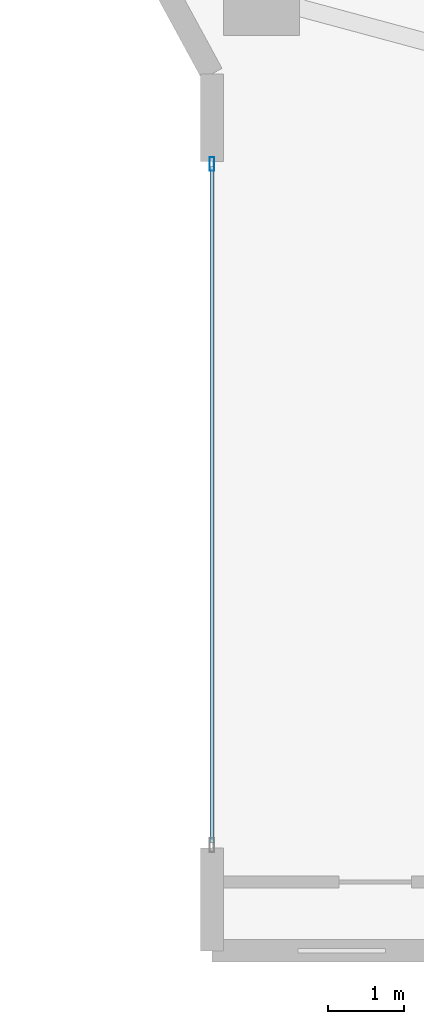
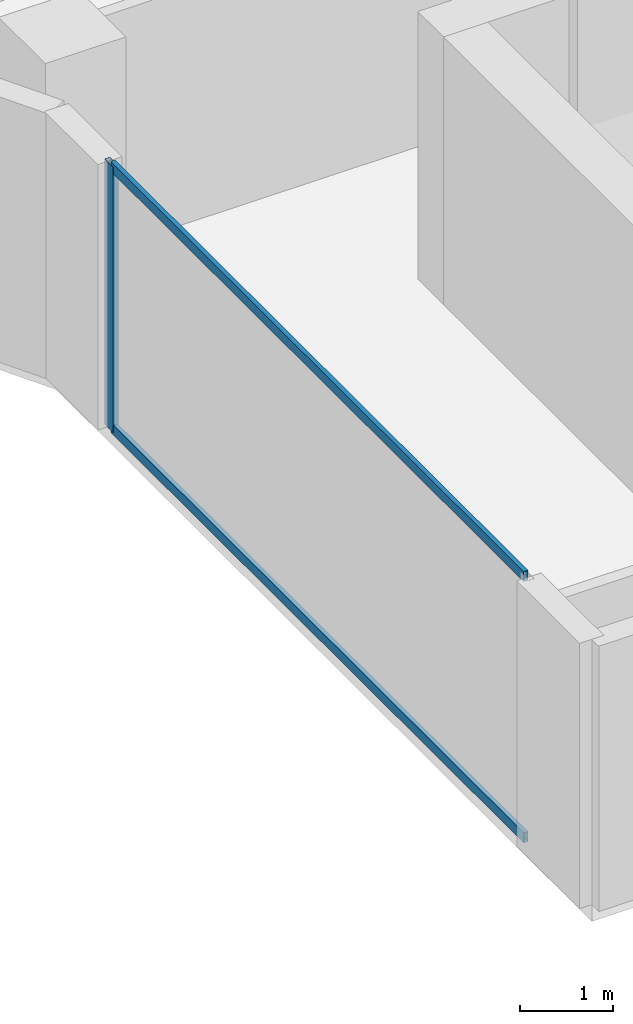
# One storey, part 3 of 23: 3 members, 1 element without a shape of its own.
"""IFC4 building model written with IfcOpenShell, lengths in metres."""

from ifc_helpers import new_model, si_unit, direction, frame, origin, origin_2d, place, context, subcontext, project, spatial, hollow_rectangle, extrude, material, layer, layer_set, material_profile, profile_set, type_object, element, aggregate, save


model = new_model("IFC4")

# Units and contexts
model_context = context("Model", 3, precision=1e-05, world=origin(), true_north=direction((0.0, 1.0)))
body_context = subcontext(model_context, "Body", "Model", "MODEL_VIEW")
ifc_project = project(units=[si_unit("LENGTHUNIT", "METRE"), si_unit("AREAUNIT", "SQUARE_METRE"), si_unit("VOLUMEUNIT", "CUBIC_METRE"), si_unit("PLANEANGLEUNIT", "RADIAN"), si_unit("MASSUNIT", "GRAM", prefix="KILO")], contexts=[model_context])

# Site, building, storey
site_placement = place(None, origin())
site = spatial("IfcSite", under=ifc_project, at=site_placement, CompositionType="ELEMENT")
building_placement = place(site_placement, origin())
building = spatial("IfcBuilding", under=site, at=building_placement, Name="Zuhayl Quay Hotel", CompositionType="ELEMENT")
storey_placement = place(building_placement, frame((0.0, 0.0, 261.85009765625)))
storey = spatial("IfcBuildingStorey", under=building, at=storey_placement, Name="L66", CompositionType="ELEMENT", Elevation=261.85009765625)

# Curtain wall, members
ifc_material_1 = material(Name="Anodised Aluminium 6063-T6", Category="aluminium")
ifc_layer = layer(ifc_material_1, 0.169921875, Name="Anodised Aluminium 6063-T6", Category="aluminium")
ifc_layer_set = layer_set([ifc_layer], Name="Anodised Aluminium 6063-T6")
curtain_wall_type = type_object("IfcCurtainWallType", Name="CW_SYS_Z4", PredefinedType="USERDEFINED", material=ifc_layer_set)
curtain_wall_placement = place(storey_placement, origin())
curtain_wall = element("IfcCurtainWall", 1, at=curtain_wall_placement, inside=storey, type_object=curtain_wall_type, Name="L66 Curtain Wall ENV_L66_E02_CW1", ObjectType="UNITISED CURTAIN WALL", PredefinedType="USERDEFINED")
ifc_material_2 = material(Name="Black-anodised aluminium 6063-T6", Category="aluminium")
ifc_material_profile_1 = material_profile(ifc_material_2, hollow_rectangle(XDim=0.06494140625, YDim=0.179931640625, WallThickness=0.00341796875, at=origin_2d()), Name="ALU180X65")
ifc_profile_set_1 = profile_set([ifc_material_profile_1], Name="Black-anodised aluminium 6063-T6")
member_type_1 = type_object("IfcMemberType", Name="MB_CW_MUL_180", PredefinedType="MULLION", material=ifc_profile_set_1)
member_1_placement = place(storey_placement, frame((-20.199951171875, 13.717529296875, 0.0), z_axis=(0.0, 0.0, 1.0), x_axis=(-1.0, 0.0, 0.0)))
member_1 = element("IfcMember", 2, at=member_1_placement, type_object=member_type_1, Name="CW-Z4 mullion 2", PredefinedType="MULLION", context=body_context, shape_type="SweptSolid", body=[
    extrude(hollow_rectangle(XDim=0.06494140625, YDim=0.179931640625, WallThickness=0.00341796875, at=origin_2d()), origin(), (0.0, 0.0, 1.0), 3.47998046875),
])
ifc_material_profile_2 = material_profile(ifc_material_2, hollow_rectangle(XDim=0.054931640625, YDim=0.1298828125, WallThickness=0.0029296875, at=origin_2d()), Name="ALU130X55")
ifc_profile_set_2 = profile_set([ifc_material_profile_2], Name="Black-anodised aluminium 6063-T6")
member_type_2 = type_object("IfcMemberType", Name="MB_CW_TRN_130", PredefinedType="USERDEFINED", material=ifc_profile_set_2)
member_2_placement = place(storey_placement, frame((-20.199951171875, 4.81494140625, 0.02734375), z_axis=(0.0, 1.0, 0.0), x_axis=(-1.0, 0.0, 0.0)))
member_2 = element("IfcMember", 3, at=member_2_placement, type_object=member_type_2, Name="CW-Z4 transom 1.1", ObjectType="TRANSOM", PredefinedType="USERDEFINED", context=body_context, shape_type="SweptSolid", body=[
    extrude(hollow_rectangle(XDim=0.054931640625, YDim=0.1298828125, WallThickness=0.0029296875, at=origin_2d()), origin(), (0.0, 0.0, 1.0), 8.8701171875),
])
member_3_placement = place(storey_placement, frame((-20.199951171875, 4.81494140625, 3.452392578125), z_axis=(0.0, 1.0, 0.0), x_axis=(-1.0, 0.0, 0.0)))
member_3 = element("IfcMember", 4, at=member_3_placement, type_object=member_type_2, Name="CW-Z4 transom 1.2", ObjectType="TRANSOM", PredefinedType="USERDEFINED", context=body_context, shape_type="SweptSolid", body=[
    extrude(hollow_rectangle(XDim=0.054931640625, YDim=0.1298828125, WallThickness=0.0029296875, at=origin_2d()), origin(), (0.0, 0.0, 1.0), 8.8701171875),
])
aggregate(curtain_wall, [member_1, member_2, member_3])

save(model, "model.ifc")
